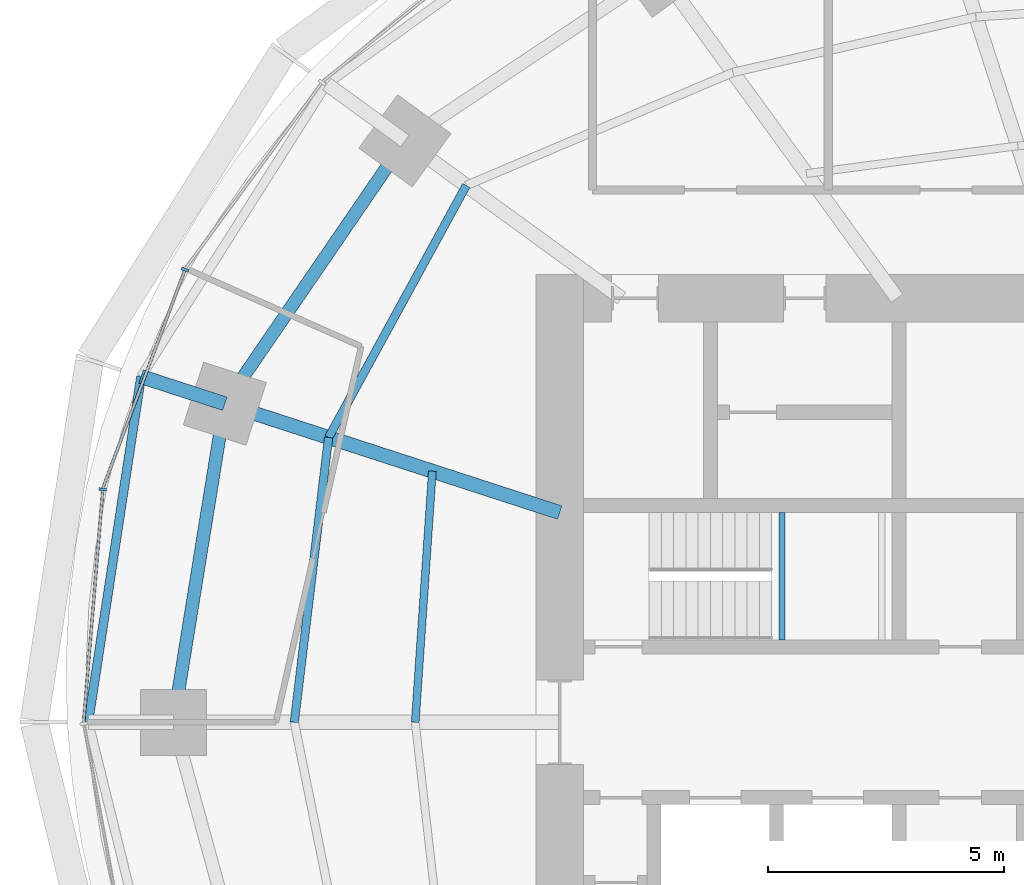
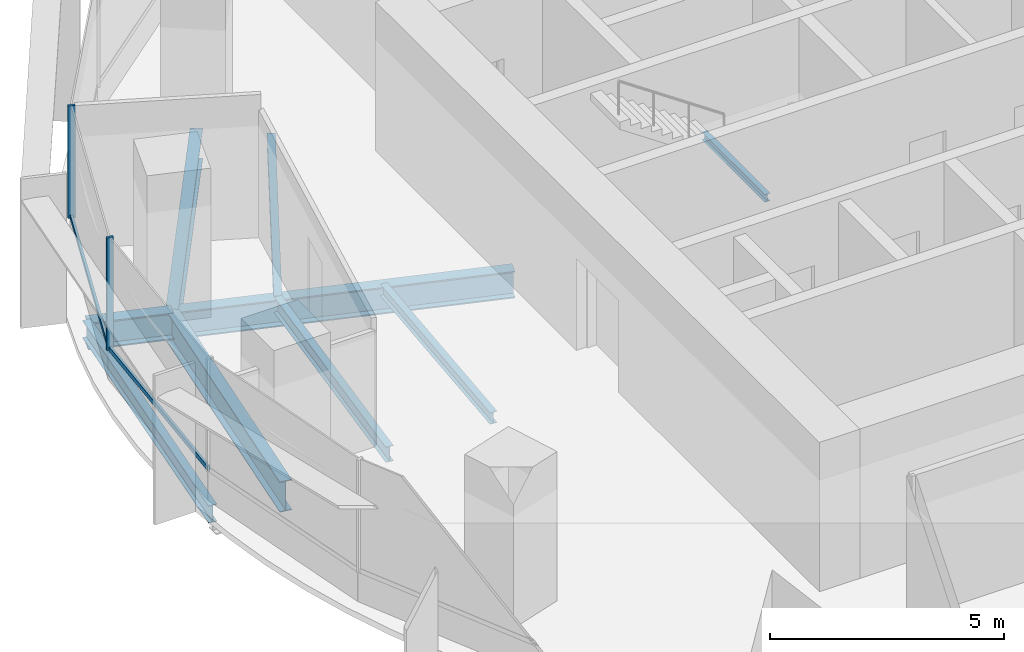
# One storey, part 4 of 14: 9 beams, 4 members, 1 element without a shape of its own.
"""IFC4 building model written with IfcOpenShell, lengths in metres."""

from ifc_helpers import new_model, si_unit, direction, frame, origin, origin_2d, place, context, subcontext, project, spatial, rectangle, i_section, extrude, material, material_profile, profile_set, type_object, element, aggregate, save


model = new_model("IFC4")

# Units and contexts
model_context = context("Model", 3, precision=1e-05, world=origin(), true_north=direction((0.0, 1.0)))
body_context = subcontext(model_context, "Body", "Model", "MODEL_VIEW")
ifc_project = project(units=[si_unit("LENGTHUNIT", "METRE"), si_unit("AREAUNIT", "SQUARE_METRE"), si_unit("VOLUMEUNIT", "CUBIC_METRE"), si_unit("PLANEANGLEUNIT", "RADIAN"), si_unit("MASSUNIT", "GRAM", prefix="KILO")], contexts=[model_context])

# Site, building, storey
site_placement = place(None, origin())
site = spatial("IfcSite", under=ifc_project, at=site_placement, CompositionType="ELEMENT")
building_placement = place(site_placement, origin())
building = spatial("IfcBuilding", under=site, at=building_placement, Name="Marramba Exchange Tower", CompositionType="ELEMENT")
storey_placement = place(building_placement, frame((0.0, 0.0, 234.5)))
storey = spatial("IfcBuildingStorey", under=building, at=storey_placement, Name="L57", CompositionType="ELEMENT", Elevation=234.5)

# Beams
ifc_material_1 = material(Name="Steel AS/NZS 3679.2 grade 300", Category="steel")
ifc_material_profile_1 = material_profile(ifc_material_1, i_section(OverallWidth=0.300048828125, OverallDepth=0.699951171875, WebThickness=0.010009765625, FlangeThickness=0.031982421875, at=origin_2d()), Name="700WB173")
ifc_profile_set_1 = profile_set([ifc_material_profile_1], Name="Steel AS/NZS 3679.2 grade 300")
beam_type_1 = type_object("IfcBeamType", Name="Cantilever girder 700WB173", PredefinedType="BEAM", material=ifc_profile_set_1)
beam_1_placement = place(storey_placement, frame((-20.808349609375, 6.760986328125, -0.510009765625), z_axis=(-0.951047511993, 0.309044705395, 0.0), x_axis=(-0.309044705395, -0.951047511993, 0.0)))
element("IfcBeam", 1, at=beam_1_placement, inside=storey, type_object=beam_type_1, Name="Cantilever girder L57 TC10", PredefinedType="BEAM", context=body_context, shape_type="SweptSolid", body=[
    extrude(i_section(OverallWidth=0.300048828125, OverallDepth=0.699951171875, WebThickness=0.010009765625, FlangeThickness=0.031982421875, at=origin_2d()), origin(), (0.0, 0.0, 1.0), 1.868408203125),
])
ifc_material_2 = material(Name="Steel AS/NZS 3679.1 grade 300", Category="steel")
ifc_material_profile_2 = material_profile(ifc_material_2, i_section(OverallWidth=0.166015625, OverallDepth=0.306884765625, WebThickness=0.006591796875, FlangeThickness=0.01171875, FilletRadius=0.011474609375, at=origin_2d()), Name="310UB46.2")
ifc_profile_set_2 = profile_set([ifc_material_profile_2], Name="Steel AS/NZS 3679.1 grade 300")
beam_type_2 = type_object("IfcBeamType", Name="Floor joist 310UB46.2", PredefinedType="JOIST", material=ifc_profile_set_2)
beam_2_placement = place(storey_placement, frame((-16.40283203125, 5.32958984375, -0.3134765625), z_axis=(-0.068096259546, -0.99767875563, 0.0), x_axis=(0.99767875563, -0.068096259546, 0.0)))
element("IfcBeam", 2, at=beam_2_placement, inside=storey, type_object=beam_type_2, Name="Joist L57 bay 10 row 1", PredefinedType="JOIST", context=body_context, shape_type="SweptSolid", body=[
    extrude(i_section(OverallWidth=0.166015625, OverallDepth=0.306884765625, WebThickness=0.006591796875, FlangeThickness=0.01171875, FilletRadius=0.011474609375, at=origin_2d()), origin(), (0.0, 0.0, 1.0), 5.342041015625),
])
ifc_material_profile_3 = material_profile(ifc_material_2, i_section(OverallWidth=0.177978515625, OverallDepth=0.406005859375, WebThickness=0.0078125, FlangeThickness=0.0126953125, FilletRadius=0.011474609375, at=origin_2d()), Name="410UB59.7")
ifc_profile_set_3 = profile_set([ifc_material_profile_3], Name="Steel AS/NZS 3679.1 grade 300")
beam_type_3 = type_object("IfcBeamType", Name="Floor joist 410UB59.7", PredefinedType="JOIST", material=ifc_profile_set_3)
beam_3_placement = place(storey_placement, frame((-15.682373046875, 11.393798828125, -0.363037109375), z_axis=(-0.479584443791, -0.877495732909, 0.0), x_axis=(0.877495732909, -0.479584443791, 0.0)))
element("IfcBeam", 3, at=beam_3_placement, inside=storey, type_object=beam_type_3, Name="Joist L57 bay 09 row 2", PredefinedType="JOIST", context=body_context, shape_type="SweptSolid", body=[
    extrude(i_section(OverallWidth=0.177978515625, OverallDepth=0.406005859375, WebThickness=0.0078125, FlangeThickness=0.0126953125, FilletRadius=0.011474609375, at=origin_2d()), origin(), (0.0, 0.0, 1.0), 6.094970703125),
])
beam_4_placement = place(storey_placement, frame((-18.60546875, 6.04541015625, -0.363037109375), z_axis=(-0.119523078538, -0.992831422597, 0.0), x_axis=(0.992831422597, -0.119523078538, 0.0)))
element("IfcBeam", 4, at=beam_4_placement, inside=storey, type_object=beam_type_3, Name="Joist L57 bay 10 row 2", PredefinedType="JOIST", context=body_context, shape_type="SweptSolid", body=[
    extrude(i_section(OverallWidth=0.177978515625, OverallDepth=0.406005859375, WebThickness=0.0078125, FlangeThickness=0.0126953125, FilletRadius=0.011474609375, at=origin_2d()), origin(), (0.0, 0.0, 1.0), 6.089111328125),
])

# Curtain wall, members
ifc_material_3 = material(Name="Aluminium framing, bronze anodised", Category="aluminium")
curtain_wall_type = type_object("IfcCurtainWallType", Name="Office ribbon curtain wall", PredefinedType="USERDEFINED", material=ifc_material_3)
curtain_wall_placement = place(storey_placement, origin())
curtain_wall = element("IfcCurtainWall", 5, at=curtain_wall_placement, inside=storey, type_object=curtain_wall_type, Name="Curtain wall CW4 L57 F11-F15", ObjectType="RIBBON CURTAIN WALL", PredefinedType="USERDEFINED")
ifc_material_4 = material(Name="Aluminium mullion, bronze anodised", Category="aluminium")
ifc_material_profile_4 = material_profile(ifc_material_4, rectangle(XDim=0.159912109375, YDim=0.06005859375, at=origin_2d()), Name="CW4 mullion 60x160")
ifc_profile_set_4 = profile_set([ifc_material_profile_4], Name="Aluminium mullion, bronze anodised")
member_type_1 = type_object("IfcMemberType", Name="Office ribbon curtain wall mullion", PredefinedType="MULLION", material=ifc_profile_set_4)
member_1_placement = place(storey_placement, frame((-21.65283203125, 9.607666015625, 0.800048828125), z_axis=(0.0, 0.0, 1.0), x_axis=(0.936018231909, -0.351951515885, 0.0)))
member_1 = element("IfcMember", 6, at=member_1_placement, type_object=member_type_1, Name="CW4 mullion 1", PredefinedType="MULLION", context=body_context, shape_type="SweptSolid", body=[
    extrude(rectangle(XDim=0.159912109375, YDim=0.06005859375, at=origin_2d()), origin(), (0.0, 0.0, 1.0), 2.93994140625),
])
member_2_placement = place(storey_placement, frame((-23.39794921875, 4.94287109375, 0.800048828125), z_axis=(0.0, 0.0, 1.0), x_axis=(0.996609178714, -0.082280890264, 0.0)))
member_2 = element("IfcMember", 7, at=member_2_placement, type_object=member_type_1, Name="CW4 mullion 1", PredefinedType="MULLION", context=body_context, shape_type="SweptSolid", body=[
    extrude(rectangle(XDim=0.159912109375, YDim=0.06005859375, at=origin_2d()), origin(), (0.0, 0.0, 1.0), 2.93994140625),
])
ifc_material_5 = material(Name="Aluminium transom, bronze anodised", Category="aluminium")
ifc_material_profile_5 = material_profile(ifc_material_5, rectangle(XDim=0.06005859375, YDim=0.1201171875, at=origin_2d()), Name="CW4 transom 60x120")
ifc_profile_set_5 = profile_set([ifc_material_profile_5], Name="Aluminium transom, bronze anodised")
member_type_2 = type_object("IfcMemberType", Name="Office ribbon curtain wall transom", PredefinedType="USERDEFINED", material=ifc_profile_set_5)
member_3_placement = place(storey_placement, frame((-21.663330078125, 9.57958984375, 0.830078125), z_axis=(-0.351955054115, -0.936016901494, 0.0), x_axis=(0.936016901494, -0.351955054115, 0.0)))
member_3 = element("IfcMember", 8, at=member_3_placement, type_object=member_type_2, Name="CW4 sill transom", ObjectType="TRANSOM", PredefinedType="USERDEFINED", context=body_context, shape_type="SweptSolid", body=[
    extrude(rectangle(XDim=0.06005859375, YDim=0.1201171875, at=origin_2d()), origin(), (0.0, 0.0, 1.0), 4.921630859375),
])
member_4_placement = place(storey_placement, frame((-23.400390625, 4.9130859375, 0.830078125), z_axis=(-0.082258542539, -0.996611023509, 0.0), x_axis=(0.996611023509, -0.082258542539, 0.0)))
member_4 = element("IfcMember", 9, at=member_4_placement, type_object=member_type_2, Name="CW4 sill transom", ObjectType="TRANSOM", PredefinedType="USERDEFINED", context=body_context, shape_type="SweptSolid", body=[
    extrude(rectangle(XDim=0.06005859375, YDim=0.1201171875, at=origin_2d()), origin(), (0.0, 0.0, 1.0), 4.9296875),
])
aggregate(curtain_wall, [member_1, member_3, member_2, member_4])

# Beams
ifc_material_profile_6 = material_profile(ifc_material_1, i_section(OverallWidth=0.300048828125, OverallDepth=0.699951171875, WebThickness=0.010009765625, FlangeThickness=0.031982421875, at=origin_2d()), Name="700WB173")
ifc_profile_set_6 = profile_set([ifc_material_profile_6], Name="Steel AS/NZS 3679.2 grade 300")
beam_type_4 = type_object("IfcBeamType", Name="Radial girder 700WB173", PredefinedType="BEAM", material=ifc_profile_set_6)
beam_5_placement = place(storey_placement, frame((-13.699951171875, 4.451416015625, -0.510009765625), z_axis=(-0.951059990189, 0.309006302624, 0.0), x_axis=(-0.309006302624, -0.951059990189, 0.0)))
element("IfcBeam", 10, at=beam_5_placement, inside=storey, type_object=beam_type_4, Name="Radial girder L57 TC10", PredefinedType="BEAM", context=body_context, shape_type="SweptSolid", body=[
    extrude(i_section(OverallWidth=0.300048828125, OverallDepth=0.699951171875, WebThickness=0.010009765625, FlangeThickness=0.031982421875, at=origin_2d()), origin(), (0.0, 0.0, 1.0), 7.47412109375),
])
ifc_material_profile_7 = material_profile(ifc_material_1, i_section(OverallWidth=0.27490234375, OverallDepth=0.800048828125, WebThickness=0.010009765625, FlangeThickness=0.02490234375, at=origin_2d()), Name="800WB168")
ifc_profile_set_7 = profile_set([ifc_material_profile_7], Name="Steel AS/NZS 3679.2 grade 300")
beam_type_5 = type_object("IfcBeamType", Name="Ring beam 800WB168", PredefinedType="SPANDREL", material=ifc_profile_set_7)
beam_6_placement = place(storey_placement, frame((-16.98583984375, 12.3408203125, -0.56005859375), z_axis=(-0.56516002054, -0.824981303535, 0.0), x_axis=(0.824981303535, -0.56516002054, 0.0)))
element("IfcBeam", 11, at=beam_6_placement, inside=storey, type_object=beam_type_5, Name="Ring beam L57 TC09-TC10", PredefinedType="SPANDREL", context=body_context, shape_type="SweptSolid", body=[
    extrude(i_section(OverallWidth=0.27490234375, OverallDepth=0.800048828125, WebThickness=0.010009765625, FlangeThickness=0.02490234375, at=origin_2d()), origin(), (0.0, 0.0, 1.0), 6.763671875),
])
beam_7_placement = place(storey_placement, frame((-20.808349609375, 6.760986328125, -0.56005859375), z_axis=(-0.159384865399, -0.987216523708, 0.0), x_axis=(0.987216523708, -0.159384865399, 0.0)))
element("IfcBeam", 12, at=beam_7_placement, inside=storey, type_object=beam_type_5, Name="Ring beam L57 TC10-TC11", PredefinedType="SPANDREL", context=body_context, shape_type="SweptSolid", body=[
    extrude(i_section(OverallWidth=0.27490234375, OverallDepth=0.800048828125, WebThickness=0.010009765625, FlangeThickness=0.02490234375, at=origin_2d()), origin(), (0.0, 0.0, 1.0), 6.8486328125),
])
ifc_material_profile_8 = material_profile(ifc_material_2, i_section(OverallWidth=0.19091796875, OverallDepth=0.4599609375, WebThickness=0.010009765625, FlangeThickness=0.01611328125, FilletRadius=0.011474609375, at=origin_2d()), Name="460UB82.1")
ifc_profile_set_8 = profile_set([ifc_material_profile_8], Name="Steel AS/NZS 3679.1 grade 300")
beam_type_6 = type_object("IfcBeamType", Name="Slab edge beam 460UB82.1", PredefinedType="SPANDREL", material=ifc_profile_set_8)
beam_8_placement = place(storey_placement, frame((-22.585205078125, 7.33837890625, -0.389892578125), z_axis=(-0.150987012186, -0.988535746522, 0.0), x_axis=(0.988535746522, -0.150987012186, 0.0)))
element("IfcBeam", 13, at=beam_8_placement, inside=storey, type_object=beam_type_6, Name="Slab edge beam L57 TC10-TC11", PredefinedType="SPANDREL", context=body_context, shape_type="SweptSolid", body=[
    extrude(i_section(OverallWidth=0.19091796875, OverallDepth=0.4599609375, WebThickness=0.010009765625, FlangeThickness=0.01611328125, FilletRadius=0.011474609375, at=origin_2d()), origin(), (0.0, 0.0, 1.0), 7.423583984375),
])
ifc_material_profile_9 = material_profile(ifc_material_2, i_section(OverallWidth=0.133056640625, OverallDepth=0.202880859375, WebThickness=0.005859375, FlangeThickness=0.0078125, FilletRadius=0.0087890625, at=origin_2d()), Name="200UB25.4")
ifc_profile_set_9 = profile_set([ifc_material_profile_9], Name="Steel AS/NZS 3679.1 grade 300")
beam_type_7 = type_object("IfcBeamType", Name="Stair landing beam 200UB25.4", PredefinedType="BEAM", material=ifc_profile_set_9)
beam_9_placement = place(storey_placement, frame((-8.9833984375, 1.75, 1.6484375), z_axis=(0.0, 1.0, 0.0), x_axis=(-1.0, 0.0, 0.0)))
element("IfcBeam", 14, at=beam_9_placement, inside=storey, type_object=beam_type_7, Name="Stair landing beam SLB1 ST1 L57 1", PredefinedType="BEAM", context=body_context, shape_type="SweptSolid", body=[
    extrude(i_section(OverallWidth=0.133056640625, OverallDepth=0.202880859375, WebThickness=0.005859375, FlangeThickness=0.0078125, FilletRadius=0.0087890625, at=origin_2d()), origin(), (0.0, 0.0, 1.0), 2.699951171875),
])

save(model, "model.ifc")
